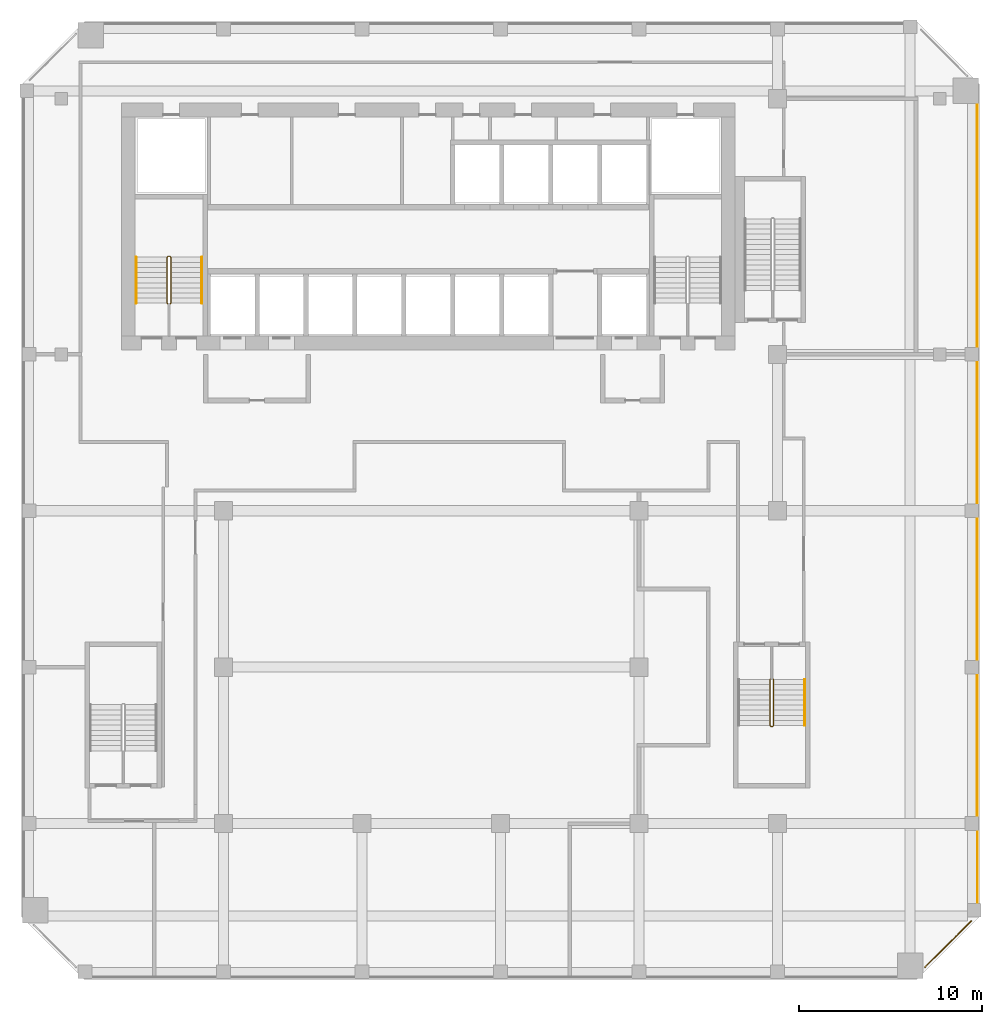
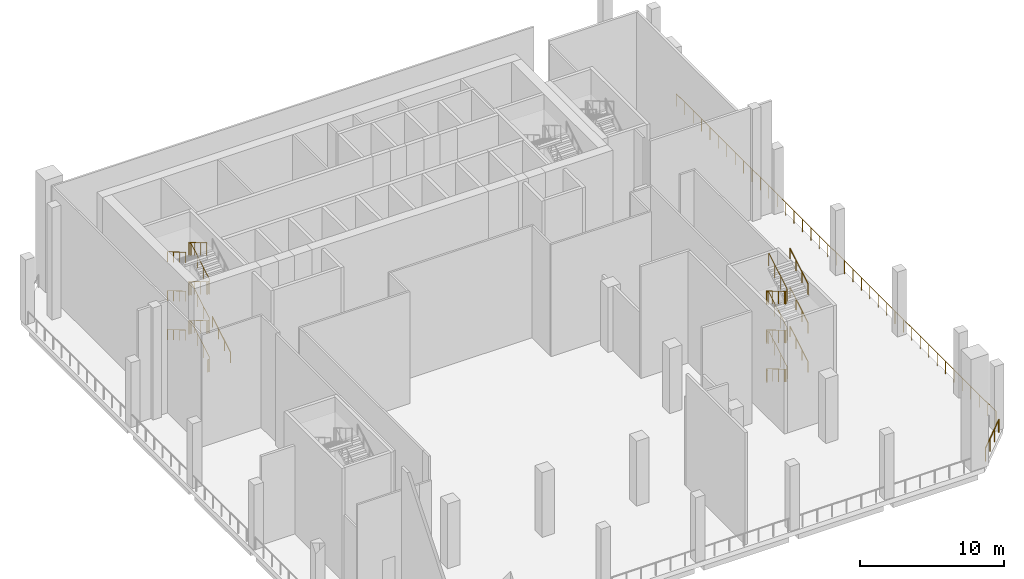
# One storey, part 10 of 12: 11 railings.
"""IFC4 building model written with IfcOpenShell, lengths in metres."""

from ifc_helpers import new_model, si_unit, direction, frame, origin, origin_2d, place, context, subcontext, project, spatial, circle, extrude, material, type_object, element, save


model = new_model("IFC4")

# Units and contexts
model_context = context("Model", 3, precision=1e-05, world=origin(), true_north=direction((0.0, 1.0)))
body_context = subcontext(model_context, "Body", "Model", "MODEL_VIEW")
ifc_project = project(units=[si_unit("LENGTHUNIT", "METRE"), si_unit("AREAUNIT", "SQUARE_METRE"), si_unit("VOLUMEUNIT", "CUBIC_METRE"), si_unit("PLANEANGLEUNIT", "RADIAN"), si_unit("MASSUNIT", "GRAM", prefix="KILO")], contexts=[model_context])

# Site, building, storey
site_placement = place(None, origin())
site = spatial("IfcSite", under=ifc_project, at=site_placement, CompositionType="ELEMENT")
building_placement = place(site_placement, origin())
building = spatial("IfcBuilding", under=site, at=building_placement, Name="Kilnfold Tower and Market Hall", CompositionType="ELEMENT")
storey_placement = place(building_placement, frame((0.0, 0.0, 223.699951171875)))
storey = spatial("IfcBuildingStorey", under=building, at=storey_placement, Name="L55 Refuge Wind Floor", CompositionType="ELEMENT", Elevation=223.699951171875)

# Railings
ifc_material_1 = material(Name="Stainless steel 316", Category="steel")
railing_type_1 = type_object("IfcRailingType", Name="CORE STAIR GUARD 1100", PredefinedType="GUARDRAIL", material=ifc_material_1)
railing_1_placement = place(storey_placement, frame((-13.199951171875, 10.75, 0.0)))
element("IfcRailing", 1, at=railing_1_placement, inside=storey, type_object=railing_type_1, Name="L55 Refuge Wind Floor ST1 stair guard 1", PredefinedType="GUARDRAIL", context=body_context, shape_type="SweptSolid", body=[
    extrude(circle(Radius=0.02392578125, at=origin_2d()), frame((0.0, 0.0, 1.076171875), z_axis=(1.0, 0.0, 0.0), x_axis=(0.0, 1.0, 0.0)), (0.0, 0.0, 1.0), 0.099853515625),
    extrude(circle(Radius=0.02392578125, at=origin_2d()), frame((0.099853515625, 0.0, 1.076171875), z_axis=(0.278705021027, 0.278705021027, 0.919046801044), x_axis=(-0.707106781187, 0.707106781187, 0.0)), (0.0, 0.0, 1.0), 0.1796875),
    extrude(circle(Radius=0.02392578125, at=origin_2d()), frame((0.14990234375, 0.050048828125, 1.2412109375), z_axis=(0.0, 0.86152411907, 0.507716645641), x_axis=(-1.0, 0.0, 0.0)), (0.0, 0.0, 1.0), 2.925048828125),
    extrude(circle(Radius=0.02392578125, at=origin_2d()), frame((0.14990234375, 2.570068359375, 2.72607421875), z_axis=(-0.707106781187, 0.707106781187, 0.0), x_axis=(-0.707106781187, -0.707106781187, 0.0)), (0.0, 0.0, 1.0), 0.07080078125),
    extrude(circle(Radius=0.02392578125, at=origin_2d()), frame((0.099853515625, 2.6201171875, 2.72607421875), z_axis=(-1.0, 0.0, 0.0), x_axis=(0.0, -1.0, 0.0)), (0.0, 0.0, 1.0), 0.099853515625),
    extrude(circle(Radius=0.02392578125, at=origin_2d()), frame((0.0, 2.6201171875, 2.72607421875), z_axis=(-0.279053652268, -0.279053652268, 0.918835196492), x_axis=(0.707106781187, -0.707106781187, 0.0)), (0.0, 0.0, 1.0), 0.179443359375),
    extrude(circle(Radius=0.02392578125, at=origin_2d()), frame((-0.050048828125, 2.570068359375, 2.89111328125), z_axis=(0.0, -0.86152411907, 0.507716645641), x_axis=(1.0, 0.0, 0.0)), (0.0, 0.0, 1.0), 2.925048828125),
    extrude(circle(Radius=0.02392578125, at=origin_2d()), frame((-0.050048828125, 0.050048828125, 4.3759765625), z_axis=(0.707106781187, -0.707106781187, 0.0), x_axis=(0.707106781187, 0.707106781187, 0.0)), (0.0, 0.0, 1.0), 0.07080078125),
    extrude(circle(Radius=0.02392578125, at=origin_2d()), frame((0.0, 0.0, 4.3759765625), z_axis=(1.0, 0.0, 0.0), x_axis=(0.0, 1.0, 0.0)), (0.0, 0.0, 1.0), 0.099853515625),
    extrude(circle(Radius=0.02392578125, at=origin_2d()), frame((0.099853515625, 0.0, 4.3759765625), z_axis=(0.278705021027, 0.278705021027, 0.919046801044), x_axis=(-0.707106781187, 0.707106781187, 0.0)), (0.0, 0.0, 1.0), 0.1796875),
    extrude(circle(Radius=0.02392578125, at=origin_2d()), frame((0.14990234375, 0.050048828125, 4.541015625), z_axis=(0.0, 0.861560626758, 0.507654692109), x_axis=(-1.0, 0.0, 0.0)), (0.0, 0.0, 1.0), 2.925048828125),
    extrude(circle(Radius=0.02392578125, at=origin_2d()), frame((0.14990234375, 2.570068359375, 6.02587890625), z_axis=(-0.707106781187, 0.707106781187, 0.0), x_axis=(-0.707106781187, -0.707106781187, 0.0)), (0.0, 0.0, 1.0), 0.07080078125),
    extrude(circle(Radius=0.02392578125, at=origin_2d()), frame((0.099853515625, 2.6201171875, 6.02587890625), z_axis=(-1.0, 0.0, 0.0), x_axis=(0.0, -1.0, 0.0)), (0.0, 0.0, 1.0), 0.099853515625),
    extrude(circle(Radius=0.02392578125, at=origin_2d()), frame((0.0, 2.6201171875, 6.02587890625), z_axis=(-0.278705021027, -0.278705021027, 0.919046801044), x_axis=(0.707106781187, -0.707106781187, 0.0)), (0.0, 0.0, 1.0), 0.1796875),
    extrude(circle(Radius=0.02392578125, at=origin_2d()), frame((-0.050048828125, 2.570068359375, 6.19091796875), z_axis=(0.0, -0.86152411907, 0.507716645641), x_axis=(1.0, 0.0, 0.0)), (0.0, 0.0, 1.0), 2.925048828125),
    extrude(circle(Radius=0.02392578125, at=origin_2d()), frame((-0.050048828125, 0.050048828125, 7.67626953125), z_axis=(0.707106781187, -0.707106781187, 0.0), x_axis=(0.707106781187, 0.707106781187, 0.0)), (0.0, 0.0, 1.0), 0.07080078125),
    extrude(circle(Radius=0.02392578125, at=origin_2d()), frame((0.0, 0.0, 7.67626953125), z_axis=(1.0, 0.0, 0.0), x_axis=(0.0, 1.0, 0.0)), (0.0, 0.0, 1.0), 0.099853515625),
    extrude(circle(Radius=0.02392578125, at=origin_2d()), frame((0.099853515625, 0.0, 7.67626953125), z_axis=(0.278705021027, 0.278705021027, 0.919046801044), x_axis=(-0.707106781187, 0.707106781187, 0.0)), (0.0, 0.0, 1.0), 0.1796875),
    extrude(circle(Radius=0.02392578125, at=origin_2d()), frame((0.14990234375, 0.050048828125, 7.84130859375), z_axis=(0.0, 0.861560626758, 0.507654692109), x_axis=(-1.0, 0.0, 0.0)), (0.0, 0.0, 1.0), 2.925048828125),
    extrude(circle(Radius=0.02392578125, at=origin_2d()), frame((0.14990234375, 2.570068359375, 9.326171875), z_axis=(-0.707106781187, 0.707106781187, 0.0), x_axis=(-0.707106781187, -0.707106781187, 0.0)), (0.0, 0.0, 1.0), 0.07080078125),
    extrude(circle(Radius=0.02392578125, at=origin_2d()), frame((0.099853515625, 2.6201171875, 9.326171875), z_axis=(-1.0, 0.0, 0.0), x_axis=(0.0, -1.0, 0.0)), (0.0, 0.0, 1.0), 0.099853515625),
    extrude(circle(Radius=0.02392578125, at=origin_2d()), frame((0.0, 2.6201171875, 9.326171875), z_axis=(-0.278705021027, -0.278705021027, 0.919046801044), x_axis=(0.707106781187, -0.707106781187, 0.0)), (0.0, 0.0, 1.0), 0.1796875),
    extrude(circle(Radius=0.02392578125, at=origin_2d()), frame((-0.050048828125, 2.570068359375, 9.4912109375), z_axis=(0.0, -0.86152411907, 0.507716645641), x_axis=(1.0, 0.0, 0.0)), (0.0, 0.0, 1.0), 2.925048828125),
    extrude(circle(Radius=0.02099609375, at=origin_2d()), origin(), (0.0, 0.0, 1.0), 1.052001953125),
    extrude(circle(Radius=0.02099609375, at=origin_2d()), frame((0.099853515625, 0.0, 0.0)), (0.0, 0.0, 1.0), 1.052001953125),
    extrude(circle(Radius=0.02099609375, at=origin_2d()), frame((0.14990234375, 0.050048828125, 0.1650390625)), (0.0, 0.0, 1.0), 1.052001953125),
    extrude(circle(Radius=0.02099609375, at=origin_2d()), frame((0.14990234375, 0.89013671875, 0.66015625)), (0.0, 0.0, 1.0), 1.052001953125),
    extrude(circle(Radius=0.02099609375, at=origin_2d()), frame((0.14990234375, 1.72998046875, 1.155029296875)), (0.0, 0.0, 1.0), 1.052001953125),
    extrude(circle(Radius=0.02099609375, at=origin_2d()), frame((0.14990234375, 2.570068359375, 1.650146484375)), (0.0, 0.0, 1.0), 1.052001953125),
    extrude(circle(Radius=0.02099609375, at=origin_2d()), frame((0.099853515625, 2.6201171875, 1.650146484375)), (0.0, 0.0, 1.0), 1.052001953125),
    extrude(circle(Radius=0.02099609375, at=origin_2d()), frame((0.0, 2.6201171875, 1.650146484375)), (0.0, 0.0, 1.0), 1.052001953125),
    extrude(circle(Radius=0.02099609375, at=origin_2d()), frame((-0.050048828125, 2.570068359375, 1.81494140625)), (0.0, 0.0, 1.0), 1.052001953125),
    extrude(circle(Radius=0.02099609375, at=origin_2d()), frame((-0.050048828125, 1.72998046875, 2.31005859375)), (0.0, 0.0, 1.0), 1.052001953125),
    extrude(circle(Radius=0.02099609375, at=origin_2d()), frame((-0.050048828125, 0.89013671875, 2.804931640625)), (0.0, 0.0, 1.0), 1.052001953125),
    extrude(circle(Radius=0.02099609375, at=origin_2d()), frame((-0.050048828125, 0.050048828125, 3.300048828125)), (0.0, 0.0, 1.0), 1.052001953125),
    extrude(circle(Radius=0.02099609375, at=origin_2d()), frame((0.0, 0.0, 3.300048828125)), (0.0, 0.0, 1.0), 1.052001953125),
    extrude(circle(Radius=0.02099609375, at=origin_2d()), frame((0.099853515625, 0.0, 3.300048828125)), (0.0, 0.0, 1.0), 1.052001953125),
    extrude(circle(Radius=0.02099609375, at=origin_2d()), frame((0.14990234375, 0.050048828125, 3.465087890625)), (0.0, 0.0, 1.0), 1.052001953125),
    extrude(circle(Radius=0.02099609375, at=origin_2d()), frame((0.14990234375, 0.89013671875, 3.9599609375)), (0.0, 0.0, 1.0), 1.052001953125),
    extrude(circle(Radius=0.02099609375, at=origin_2d()), frame((0.14990234375, 1.72998046875, 4.455078125)), (0.0, 0.0, 1.0), 1.052001953125),
    extrude(circle(Radius=0.02099609375, at=origin_2d()), frame((0.14990234375, 2.570068359375, 4.949951171875)), (0.0, 0.0, 1.0), 1.052001953125),
    extrude(circle(Radius=0.02099609375, at=origin_2d()), frame((0.099853515625, 2.6201171875, 4.949951171875)), (0.0, 0.0, 1.0), 1.052001953125),
    extrude(circle(Radius=0.02099609375, at=origin_2d()), frame((0.0, 2.6201171875, 4.949951171875)), (0.0, 0.0, 1.0), 1.052001953125),
    extrude(circle(Radius=0.02099609375, at=origin_2d()), frame((-0.050048828125, 2.570068359375, 5.114990234375)), (0.0, 0.0, 1.0), 1.052001953125),
    extrude(circle(Radius=0.02099609375, at=origin_2d()), frame((-0.050048828125, 1.72998046875, 5.610107421875)), (0.0, 0.0, 1.0), 1.052001953125),
    extrude(circle(Radius=0.02099609375, at=origin_2d()), frame((-0.050048828125, 0.89013671875, 6.10498046875)), (0.0, 0.0, 1.0), 1.052001953125),
    extrude(circle(Radius=0.02099609375, at=origin_2d()), frame((-0.050048828125, 0.050048828125, 6.60009765625)), (0.0, 0.0, 1.0), 1.052001953125),
    extrude(circle(Radius=0.02099609375, at=origin_2d()), frame((0.0, 0.0, 6.60009765625)), (0.0, 0.0, 1.0), 1.052001953125),
    extrude(circle(Radius=0.02099609375, at=origin_2d()), frame((0.099853515625, 0.0, 6.60009765625)), (0.0, 0.0, 1.0), 1.052001953125),
    extrude(circle(Radius=0.02099609375, at=origin_2d()), frame((0.14990234375, 0.050048828125, 6.76513671875)), (0.0, 0.0, 1.0), 1.052001953125),
    extrude(circle(Radius=0.02099609375, at=origin_2d()), frame((0.14990234375, 0.89013671875, 7.260009765625)), (0.0, 0.0, 1.0), 1.052001953125),
    extrude(circle(Radius=0.02099609375, at=origin_2d()), frame((0.14990234375, 1.72998046875, 7.755126953125)), (0.0, 0.0, 1.0), 1.052001953125),
    extrude(circle(Radius=0.02099609375, at=origin_2d()), frame((0.14990234375, 2.570068359375, 8.25)), (0.0, 0.0, 1.0), 1.052001953125),
    extrude(circle(Radius=0.02099609375, at=origin_2d()), frame((0.099853515625, 2.6201171875, 8.25)), (0.0, 0.0, 1.0), 1.052001953125),
    extrude(circle(Radius=0.02099609375, at=origin_2d()), frame((0.0, 2.6201171875, 8.25)), (0.0, 0.0, 1.0), 1.052001953125),
    extrude(circle(Radius=0.02099609375, at=origin_2d()), frame((-0.050048828125, 2.570068359375, 8.4150390625)), (0.0, 0.0, 1.0), 1.052001953125),
    extrude(circle(Radius=0.02099609375, at=origin_2d()), frame((-0.050048828125, 1.72998046875, 8.91015625)), (0.0, 0.0, 1.0), 1.052001953125),
    extrude(circle(Radius=0.02099609375, at=origin_2d()), frame((-0.050048828125, 0.89013671875, 9.405029296875)), (0.0, 0.0, 1.0), 1.052001953125),
    extrude(circle(Radius=0.02099609375, at=origin_2d()), frame((-0.050048828125, 0.050048828125, 9.900146484375)), (0.0, 0.0, 1.0), 1.052001953125),
])
railing_2_placement = place(storey_placement, frame((19.89990234375, -9.75, 0.0)))
element("IfcRailing", 2, at=railing_2_placement, inside=storey, type_object=railing_type_1, Name="L55 Refuge Wind Floor ST4 stair guard 1", PredefinedType="GUARDRAIL", context=body_context, shape_type="SweptSolid", body=[
    extrude(circle(Radius=0.02392578125, at=origin_2d()), frame((0.0, 0.0, 1.076171875), z_axis=(-1.0, 0.0, 0.0), x_axis=(0.0, -1.0, 0.0)), (0.0, 0.0, 1.0), 0.099853515625),
    extrude(circle(Radius=0.02392578125, at=origin_2d()), frame((-0.099853515625, 0.0, 1.076171875), z_axis=(-0.278705021027, -0.278705021027, 0.919046801044), x_axis=(0.707106781187, -0.707106781187, 0.0)), (0.0, 0.0, 1.0), 0.1796875),
    extrude(circle(Radius=0.02392578125, at=origin_2d()), frame((-0.14990234375, -0.050048828125, 1.2412109375), z_axis=(0.0, -0.86152411907, 0.507716645641), x_axis=(1.0, 0.0, 0.0)), (0.0, 0.0, 1.0), 2.925048828125),
    extrude(circle(Radius=0.02392578125, at=origin_2d()), frame((-0.14990234375, -2.570068359375, 2.72607421875), z_axis=(0.707106781187, -0.707106781187, 0.0), x_axis=(0.707106781187, 0.707106781187, 0.0)), (0.0, 0.0, 1.0), 0.07080078125),
    extrude(circle(Radius=0.02392578125, at=origin_2d()), frame((-0.099853515625, -2.6201171875, 2.72607421875), z_axis=(1.0, 0.0, 0.0), x_axis=(0.0, 1.0, 0.0)), (0.0, 0.0, 1.0), 0.099853515625),
    extrude(circle(Radius=0.02392578125, at=origin_2d()), frame((0.0, -2.6201171875, 2.72607421875), z_axis=(0.279053652268, 0.279053652268, 0.918835196492), x_axis=(-0.707106781187, 0.707106781187, 0.0)), (0.0, 0.0, 1.0), 0.179443359375),
    extrude(circle(Radius=0.02392578125, at=origin_2d()), frame((0.050048828125, -2.570068359375, 2.89111328125), z_axis=(0.0, 0.86152411907, 0.507716645641), x_axis=(-1.0, 0.0, 0.0)), (0.0, 0.0, 1.0), 2.925048828125),
    extrude(circle(Radius=0.02392578125, at=origin_2d()), frame((0.050048828125, -0.050048828125, 4.3759765625), z_axis=(-0.707106781187, 0.707106781187, 0.0), x_axis=(-0.707106781187, -0.707106781187, 0.0)), (0.0, 0.0, 1.0), 0.07080078125),
    extrude(circle(Radius=0.02392578125, at=origin_2d()), frame((0.0, 0.0, 4.3759765625), z_axis=(-1.0, 0.0, 0.0), x_axis=(0.0, -1.0, 0.0)), (0.0, 0.0, 1.0), 0.099853515625),
    extrude(circle(Radius=0.02392578125, at=origin_2d()), frame((-0.099853515625, 0.0, 4.3759765625), z_axis=(-0.278705021027, -0.278705021027, 0.919046801044), x_axis=(0.707106781187, -0.707106781187, 0.0)), (0.0, 0.0, 1.0), 0.1796875),
    extrude(circle(Radius=0.02392578125, at=origin_2d()), frame((-0.14990234375, -0.050048828125, 4.541015625), z_axis=(0.0, -0.861560626758, 0.507654692109), x_axis=(1.0, 0.0, 0.0)), (0.0, 0.0, 1.0), 2.925048828125),
    extrude(circle(Radius=0.02392578125, at=origin_2d()), frame((-0.14990234375, -2.570068359375, 6.02587890625), z_axis=(0.707106781187, -0.707106781187, 0.0), x_axis=(0.707106781187, 0.707106781187, 0.0)), (0.0, 0.0, 1.0), 0.07080078125),
    extrude(circle(Radius=0.02392578125, at=origin_2d()), frame((-0.099853515625, -2.6201171875, 6.02587890625), z_axis=(1.0, 0.0, 0.0), x_axis=(0.0, 1.0, 0.0)), (0.0, 0.0, 1.0), 0.099853515625),
    extrude(circle(Radius=0.02392578125, at=origin_2d()), frame((0.0, -2.6201171875, 6.02587890625), z_axis=(0.278705021027, 0.278705021027, 0.919046801044), x_axis=(-0.707106781187, 0.707106781187, 0.0)), (0.0, 0.0, 1.0), 0.1796875),
    extrude(circle(Radius=0.02392578125, at=origin_2d()), frame((0.050048828125, -2.570068359375, 6.19091796875), z_axis=(0.0, 0.86152411907, 0.507716645641), x_axis=(-1.0, 0.0, 0.0)), (0.0, 0.0, 1.0), 2.925048828125),
    extrude(circle(Radius=0.02392578125, at=origin_2d()), frame((0.050048828125, -0.050048828125, 7.67626953125), z_axis=(-0.707106781187, 0.707106781187, 0.0), x_axis=(-0.707106781187, -0.707106781187, 0.0)), (0.0, 0.0, 1.0), 0.07080078125),
    extrude(circle(Radius=0.02392578125, at=origin_2d()), frame((0.0, 0.0, 7.67626953125), z_axis=(-1.0, 0.0, 0.0), x_axis=(0.0, -1.0, 0.0)), (0.0, 0.0, 1.0), 0.099853515625),
    extrude(circle(Radius=0.02392578125, at=origin_2d()), frame((-0.099853515625, 0.0, 7.67626953125), z_axis=(-0.278705021027, -0.278705021027, 0.919046801044), x_axis=(0.707106781187, -0.707106781187, 0.0)), (0.0, 0.0, 1.0), 0.1796875),
    extrude(circle(Radius=0.02392578125, at=origin_2d()), frame((-0.14990234375, -0.050048828125, 7.84130859375), z_axis=(0.0, -0.861560626758, 0.507654692109), x_axis=(1.0, 0.0, 0.0)), (0.0, 0.0, 1.0), 2.925048828125),
    extrude(circle(Radius=0.02392578125, at=origin_2d()), frame((-0.14990234375, -2.570068359375, 9.326171875), z_axis=(0.707106781187, -0.707106781187, 0.0), x_axis=(0.707106781187, 0.707106781187, 0.0)), (0.0, 0.0, 1.0), 0.07080078125),
    extrude(circle(Radius=0.02392578125, at=origin_2d()), frame((-0.099853515625, -2.6201171875, 9.326171875), z_axis=(1.0, 0.0, 0.0), x_axis=(0.0, 1.0, 0.0)), (0.0, 0.0, 1.0), 0.099853515625),
    extrude(circle(Radius=0.02392578125, at=origin_2d()), frame((0.0, -2.6201171875, 9.326171875), z_axis=(0.278705021027, 0.278705021027, 0.919046801044), x_axis=(-0.707106781187, 0.707106781187, 0.0)), (0.0, 0.0, 1.0), 0.1796875),
    extrude(circle(Radius=0.02392578125, at=origin_2d()), frame((0.050048828125, -2.570068359375, 9.4912109375), z_axis=(0.0, 0.86152411907, 0.507716645641), x_axis=(-1.0, 0.0, 0.0)), (0.0, 0.0, 1.0), 2.925048828125),
    extrude(circle(Radius=0.02099609375, at=origin_2d()), origin(), (0.0, 0.0, 1.0), 1.052001953125),
    extrude(circle(Radius=0.02099609375, at=origin_2d()), frame((-0.099853515625, 0.0, 0.0)), (0.0, 0.0, 1.0), 1.052001953125),
    extrude(circle(Radius=0.02099609375, at=origin_2d()), frame((-0.14990234375, -0.050048828125, 0.1650390625)), (0.0, 0.0, 1.0), 1.052001953125),
    extrude(circle(Radius=0.02099609375, at=origin_2d()), frame((-0.14990234375, -0.89013671875, 0.66015625)), (0.0, 0.0, 1.0), 1.052001953125),
    extrude(circle(Radius=0.02099609375, at=origin_2d()), frame((-0.14990234375, -1.72998046875, 1.155029296875)), (0.0, 0.0, 1.0), 1.052001953125),
    extrude(circle(Radius=0.02099609375, at=origin_2d()), frame((-0.14990234375, -2.570068359375, 1.650146484375)), (0.0, 0.0, 1.0), 1.052001953125),
    extrude(circle(Radius=0.02099609375, at=origin_2d()), frame((-0.099853515625, -2.6201171875, 1.650146484375)), (0.0, 0.0, 1.0), 1.052001953125),
    extrude(circle(Radius=0.02099609375, at=origin_2d()), frame((0.0, -2.6201171875, 1.650146484375)), (0.0, 0.0, 1.0), 1.052001953125),
    extrude(circle(Radius=0.02099609375, at=origin_2d()), frame((0.050048828125, -2.570068359375, 1.81494140625)), (0.0, 0.0, 1.0), 1.052001953125),
    extrude(circle(Radius=0.02099609375, at=origin_2d()), frame((0.050048828125, -1.72998046875, 2.31005859375)), (0.0, 0.0, 1.0), 1.052001953125),
    extrude(circle(Radius=0.02099609375, at=origin_2d()), frame((0.050048828125, -0.89013671875, 2.804931640625)), (0.0, 0.0, 1.0), 1.052001953125),
    extrude(circle(Radius=0.02099609375, at=origin_2d()), frame((0.050048828125, -0.050048828125, 3.300048828125)), (0.0, 0.0, 1.0), 1.052001953125),
    extrude(circle(Radius=0.02099609375, at=origin_2d()), frame((0.0, 0.0, 3.300048828125)), (0.0, 0.0, 1.0), 1.052001953125),
    extrude(circle(Radius=0.02099609375, at=origin_2d()), frame((-0.099853515625, 0.0, 3.300048828125)), (0.0, 0.0, 1.0), 1.052001953125),
    extrude(circle(Radius=0.02099609375, at=origin_2d()), frame((-0.14990234375, -0.050048828125, 3.465087890625)), (0.0, 0.0, 1.0), 1.052001953125),
    extrude(circle(Radius=0.02099609375, at=origin_2d()), frame((-0.14990234375, -0.89013671875, 3.9599609375)), (0.0, 0.0, 1.0), 1.052001953125),
    extrude(circle(Radius=0.02099609375, at=origin_2d()), frame((-0.14990234375, -1.72998046875, 4.455078125)), (0.0, 0.0, 1.0), 1.052001953125),
    extrude(circle(Radius=0.02099609375, at=origin_2d()), frame((-0.14990234375, -2.570068359375, 4.949951171875)), (0.0, 0.0, 1.0), 1.052001953125),
    extrude(circle(Radius=0.02099609375, at=origin_2d()), frame((-0.099853515625, -2.6201171875, 4.949951171875)), (0.0, 0.0, 1.0), 1.052001953125),
    extrude(circle(Radius=0.02099609375, at=origin_2d()), frame((0.0, -2.6201171875, 4.949951171875)), (0.0, 0.0, 1.0), 1.052001953125),
    extrude(circle(Radius=0.02099609375, at=origin_2d()), frame((0.050048828125, -2.570068359375, 5.114990234375)), (0.0, 0.0, 1.0), 1.052001953125),
    extrude(circle(Radius=0.02099609375, at=origin_2d()), frame((0.050048828125, -1.72998046875, 5.610107421875)), (0.0, 0.0, 1.0), 1.052001953125),
    extrude(circle(Radius=0.02099609375, at=origin_2d()), frame((0.050048828125, -0.89013671875, 6.10498046875)), (0.0, 0.0, 1.0), 1.052001953125),
    extrude(circle(Radius=0.02099609375, at=origin_2d()), frame((0.050048828125, -0.050048828125, 6.60009765625)), (0.0, 0.0, 1.0), 1.052001953125),
    extrude(circle(Radius=0.02099609375, at=origin_2d()), frame((0.0, 0.0, 6.60009765625)), (0.0, 0.0, 1.0), 1.052001953125),
    extrude(circle(Radius=0.02099609375, at=origin_2d()), frame((-0.099853515625, 0.0, 6.60009765625)), (0.0, 0.0, 1.0), 1.052001953125),
    extrude(circle(Radius=0.02099609375, at=origin_2d()), frame((-0.14990234375, -0.050048828125, 6.76513671875)), (0.0, 0.0, 1.0), 1.052001953125),
    extrude(circle(Radius=0.02099609375, at=origin_2d()), frame((-0.14990234375, -0.89013671875, 7.260009765625)), (0.0, 0.0, 1.0), 1.052001953125),
    extrude(circle(Radius=0.02099609375, at=origin_2d()), frame((-0.14990234375, -1.72998046875, 7.755126953125)), (0.0, 0.0, 1.0), 1.052001953125),
    extrude(circle(Radius=0.02099609375, at=origin_2d()), frame((-0.14990234375, -2.570068359375, 8.25)), (0.0, 0.0, 1.0), 1.052001953125),
    extrude(circle(Radius=0.02099609375, at=origin_2d()), frame((-0.099853515625, -2.6201171875, 8.25)), (0.0, 0.0, 1.0), 1.052001953125),
    extrude(circle(Radius=0.02099609375, at=origin_2d()), frame((0.0, -2.6201171875, 8.25)), (0.0, 0.0, 1.0), 1.052001953125),
    extrude(circle(Radius=0.02099609375, at=origin_2d()), frame((0.050048828125, -2.570068359375, 8.4150390625)), (0.0, 0.0, 1.0), 1.052001953125),
    extrude(circle(Radius=0.02099609375, at=origin_2d()), frame((0.050048828125, -1.72998046875, 8.91015625)), (0.0, 0.0, 1.0), 1.052001953125),
    extrude(circle(Radius=0.02099609375, at=origin_2d()), frame((0.050048828125, -0.89013671875, 9.405029296875)), (0.0, 0.0, 1.0), 1.052001953125),
    extrude(circle(Radius=0.02099609375, at=origin_2d()), frame((0.050048828125, -0.050048828125, 9.900146484375)), (0.0, 0.0, 1.0), 1.052001953125),
])
ifc_material_2 = material(Name="Stainless steel 316", Category="steel")
railing_type_2 = type_object("IfcRailingType", Name="CORE STAIR HANDRAIL 900", PredefinedType="HANDRAIL", material=ifc_material_2)
railing_3_placement = place(storey_placement, frame((-11.35009765625, 10.800048828125, 0.1650390625)))
element("IfcRailing", 3, at=railing_3_placement, inside=storey, type_object=railing_type_2, Name="L55 Refuge Wind Floor ST1 stair handrail 1", PredefinedType="HANDRAIL", context=body_context, shape_type="SweptSolid", body=[
    extrude(circle(Radius=0.02392578125, at=origin_2d()), frame((0.0, 0.0, 0.8759765625), z_axis=(0.0, 0.86152411907, 0.507716645641), x_axis=(-1.0, 0.0, 0.0)), (0.0, 0.0, 1.0), 2.925048828125),
    extrude(circle(Radius=0.02099609375, at=origin_2d()), origin(), (0.0, 0.0, 1.0), 0.851806640625),
    extrude(circle(Radius=0.02099609375, at=origin_2d()), frame((0.0, 0.840087890625, 0.4951171875)), (0.0, 0.0, 1.0), 0.851806640625),
    extrude(circle(Radius=0.02099609375, at=origin_2d()), frame((0.0, 1.679931640625, 0.989990234375)), (0.0, 0.0, 1.0), 0.851806640625),
    extrude(circle(Radius=0.02099609375, at=origin_2d()), frame((0.0, 2.52001953125, 1.485107421875)), (0.0, 0.0, 1.0), 0.851806640625),
])
for number, where, name in (
    (4, (-14.949951171875, 13.320068359375, 1.81494140625), "L55 Refuge Wind Floor ST1 stair handrail 2"),
    (5, (-14.949951171875, 13.320068359375, 5.114990234375), "L55 Refuge Wind Floor ST1 stair handrail 4"),
    (6, (-14.949951171875, 13.320068359375, 8.4150390625), "L55 Refuge Wind Floor ST1 stair handrail 6"),
):
    element("IfcRailing", number, at=place(storey_placement, frame(where)), inside=storey, type_object=railing_type_2, Name=name, PredefinedType="HANDRAIL", context=body_context, shape_type="SweptSolid", body=[
        extrude(circle(Radius=0.02392578125, at=origin_2d()), frame((0.0, 0.0, 0.8759765625), z_axis=(0.0, -0.86152411907, 0.507716645641), x_axis=(1.0, 0.0, 0.0)), (0.0, 0.0, 1.0), 2.925048828125),
        extrude(circle(Radius=0.02099609375, at=origin_2d()), origin(), (0.0, 0.0, 1.0), 0.851806640625),
        extrude(circle(Radius=0.02099609375, at=origin_2d()), frame((0.0, -0.840087890625, 0.4951171875)), (0.0, 0.0, 1.0), 0.851806640625),
        extrude(circle(Radius=0.02099609375, at=origin_2d()), frame((0.0, -1.679931640625, 0.989990234375)), (0.0, 0.0, 1.0), 0.851806640625),
        extrude(circle(Radius=0.02099609375, at=origin_2d()), frame((0.0, -2.52001953125, 1.485107421875)), (0.0, 0.0, 1.0), 0.851806640625),
    ])
for number, where, name in (
    (7, (21.64990234375, -12.320068359375, 1.81494140625), "L55 Refuge Wind Floor ST4 stair handrail 2"),
    (8, (21.64990234375, -12.320068359375, 5.114990234375), "L55 Refuge Wind Floor ST4 stair handrail 4"),
    (9, (21.64990234375, -12.320068359375, 8.4150390625), "L55 Refuge Wind Floor ST4 stair handrail 6"),
):
    element("IfcRailing", number, at=place(storey_placement, frame(where)), inside=storey, type_object=railing_type_2, Name=name, PredefinedType="HANDRAIL", context=body_context, shape_type="SweptSolid", body=[
        extrude(circle(Radius=0.02392578125, at=origin_2d()), frame((0.0, 0.0, 0.8759765625), z_axis=(0.0, 0.86152411907, 0.507716645641), x_axis=(-1.0, 0.0, 0.0)), (0.0, 0.0, 1.0), 2.925048828125),
        extrude(circle(Radius=0.02099609375, at=origin_2d()), origin(), (0.0, 0.0, 1.0), 0.851806640625),
        extrude(circle(Radius=0.02099609375, at=origin_2d()), frame((0.0, 0.840087890625, 0.4951171875)), (0.0, 0.0, 1.0), 0.851806640625),
        extrude(circle(Radius=0.02099609375, at=origin_2d()), frame((0.0, 1.679931640625, 0.989990234375)), (0.0, 0.0, 1.0), 0.851806640625),
        extrude(circle(Radius=0.02099609375, at=origin_2d()), frame((0.0, 2.52001953125, 1.485107421875)), (0.0, 0.0, 1.0), 0.851806640625),
    ])
ifc_material_3 = material(Name="Stainless steel and laminated glass", Category="steel")
railing_type_3 = type_object("IfcRailingType", Name="GUARD 1100", PredefinedType="GUARDRAIL", material=ifc_material_3)
railing_4_placement = place(storey_placement, frame((28.243896484375, -25.5439453125, 0.0)))
element("IfcRailing", 10, at=railing_4_placement, inside=storey, type_object=railing_type_3, Name="Guard edge SE L55", PredefinedType="GUARDRAIL", context=body_context, shape_type="SweptSolid", body=[
    extrude(circle(Radius=0.02490234375, at=origin_2d()), frame((0.0, 0.0, 1.0751953125), z_axis=(0.707072595841, 0.707140964879, 0.0), x_axis=(-0.707140964879, 0.707072595841, 0.0)), (0.0, 0.0, 1.0), 3.571044921875),
    extrude(circle(Radius=0.02490234375, at=origin_2d()), origin(), (0.0, 0.0, 1.0), 1.050048828125),
    extrude(circle(Radius=0.02490234375, at=origin_2d()), frame((0.841552734375, 0.841796875, 0.0)), (0.0, 0.0, 1.0), 1.050048828125),
    extrude(circle(Radius=0.02490234375, at=origin_2d()), frame((1.683349609375, 1.683349609375, 0.0)), (0.0, 0.0, 1.0), 1.050048828125),
    extrude(circle(Radius=0.02490234375, at=origin_2d()), frame((2.52490234375, 2.525146484375, 0.0)), (0.0, 0.0, 1.0), 1.050048828125),
])
railing_5_placement = place(storey_placement, frame((31.10009765625, -22.056884765625, 0.0)))
element("IfcRailing", 11, at=railing_5_placement, inside=storey, type_object=railing_type_3, Name="Guard edge E L55", PredefinedType="GUARDRAIL", context=body_context, shape_type="SweptSolid", body=[
    extrude(circle(Radius=0.02490234375, at=origin_2d()), frame((0.0, 0.0, 1.0751953125), z_axis=(0.0, 1.0, 0.0), x_axis=(-1.0, 0.0, 0.0)), (0.0, 0.0, 1.0), 44.431884765625),
    extrude(circle(Radius=0.02490234375, at=origin_2d()), origin(), (0.0, 0.0, 1.0), 1.050048828125),
    extrude(circle(Radius=0.02490234375, at=origin_2d()), frame((0.0, 1.169189453125, 0.0)), (0.0, 0.0, 1.0), 1.050048828125),
    extrude(circle(Radius=0.02490234375, at=origin_2d()), frame((0.0, 2.338623046875, 0.0)), (0.0, 0.0, 1.0), 1.050048828125),
    extrude(circle(Radius=0.02490234375, at=origin_2d()), frame((0.0, 3.5078125, 0.0)), (0.0, 0.0, 1.0), 1.050048828125),
    extrude(circle(Radius=0.02490234375, at=origin_2d()), frame((0.0, 4.677001953125, 0.0)), (0.0, 0.0, 1.0), 1.050048828125),
    extrude(circle(Radius=0.02490234375, at=origin_2d()), frame((0.0, 5.84619140625, 0.0)), (0.0, 0.0, 1.0), 1.050048828125),
    extrude(circle(Radius=0.02490234375, at=origin_2d()), frame((0.0, 7.015625, 0.0)), (0.0, 0.0, 1.0), 1.050048828125),
    extrude(circle(Radius=0.02490234375, at=origin_2d()), frame((0.0, 8.184814453125, 0.0)), (0.0, 0.0, 1.0), 1.050048828125),
    extrude(circle(Radius=0.02490234375, at=origin_2d()), frame((0.0, 9.35400390625, 0.0)), (0.0, 0.0, 1.0), 1.050048828125),
    extrude(circle(Radius=0.02490234375, at=origin_2d()), frame((0.0, 10.5234375, 0.0)), (0.0, 0.0, 1.0), 1.050048828125),
    extrude(circle(Radius=0.02490234375, at=origin_2d()), frame((0.0, 11.692626953125, 0.0)), (0.0, 0.0, 1.0), 1.050048828125),
    extrude(circle(Radius=0.02490234375, at=origin_2d()), frame((0.0, 12.86181640625, 0.0)), (0.0, 0.0, 1.0), 1.050048828125),
    extrude(circle(Radius=0.02490234375, at=origin_2d()), frame((0.0, 14.031005859375, 0.0)), (0.0, 0.0, 1.0), 1.050048828125),
    extrude(circle(Radius=0.02490234375, at=origin_2d()), frame((0.0, 15.200439453125, 0.0)), (0.0, 0.0, 1.0), 1.050048828125),
    extrude(circle(Radius=0.02490234375, at=origin_2d()), frame((0.0, 16.36962890625, 0.0)), (0.0, 0.0, 1.0), 1.050048828125),
    extrude(circle(Radius=0.02490234375, at=origin_2d()), frame((0.0, 17.538818359375, 0.0)), (0.0, 0.0, 1.0), 1.050048828125),
    extrude(circle(Radius=0.02490234375, at=origin_2d()), frame((0.0, 18.708251953125, 0.0)), (0.0, 0.0, 1.0), 1.050048828125),
    extrude(circle(Radius=0.02490234375, at=origin_2d()), frame((0.0, 19.87744140625, 0.0)), (0.0, 0.0, 1.0), 1.050048828125),
    extrude(circle(Radius=0.02490234375, at=origin_2d()), frame((0.0, 21.046630859375, 0.0)), (0.0, 0.0, 1.0), 1.050048828125),
    extrude(circle(Radius=0.02490234375, at=origin_2d()), frame((0.0, 22.2158203125, 0.0)), (0.0, 0.0, 1.0), 1.050048828125),
    extrude(circle(Radius=0.02490234375, at=origin_2d()), frame((0.0, 23.38525390625, 0.0)), (0.0, 0.0, 1.0), 1.050048828125),
    extrude(circle(Radius=0.02490234375, at=origin_2d()), frame((0.0, 24.554443359375, 0.0)), (0.0, 0.0, 1.0), 1.050048828125),
    extrude(circle(Radius=0.02490234375, at=origin_2d()), frame((0.0, 25.7236328125, 0.0)), (0.0, 0.0, 1.0), 1.050048828125),
    extrude(circle(Radius=0.02490234375, at=origin_2d()), frame((0.0, 26.89306640625, 0.0)), (0.0, 0.0, 1.0), 1.050048828125),
    extrude(circle(Radius=0.02490234375, at=origin_2d()), frame((0.0, 28.062255859375, 0.0)), (0.0, 0.0, 1.0), 1.050048828125),
    extrude(circle(Radius=0.02490234375, at=origin_2d()), frame((0.0, 29.2314453125, 0.0)), (0.0, 0.0, 1.0), 1.050048828125),
    extrude(circle(Radius=0.02490234375, at=origin_2d()), frame((0.0, 30.40087890625, 0.0)), (0.0, 0.0, 1.0), 1.050048828125),
    extrude(circle(Radius=0.02490234375, at=origin_2d()), frame((0.0, 31.570068359375, 0.0)), (0.0, 0.0, 1.0), 1.050048828125),
    extrude(circle(Radius=0.02490234375, at=origin_2d()), frame((0.0, 32.7392578125, 0.0)), (0.0, 0.0, 1.0), 1.050048828125),
    extrude(circle(Radius=0.02490234375, at=origin_2d()), frame((0.0, 33.908447265625, 0.0)), (0.0, 0.0, 1.0), 1.050048828125),
    extrude(circle(Radius=0.02490234375, at=origin_2d()), frame((0.0, 35.077880859375, 0.0)), (0.0, 0.0, 1.0), 1.050048828125),
    extrude(circle(Radius=0.02490234375, at=origin_2d()), frame((0.0, 36.2470703125, 0.0)), (0.0, 0.0, 1.0), 1.050048828125),
    extrude(circle(Radius=0.02490234375, at=origin_2d()), frame((0.0, 37.416259765625, 0.0)), (0.0, 0.0, 1.0), 1.050048828125),
    extrude(circle(Radius=0.02490234375, at=origin_2d()), frame((0.0, 38.585693359375, 0.0)), (0.0, 0.0, 1.0), 1.050048828125),
    extrude(circle(Radius=0.02490234375, at=origin_2d()), frame((0.0, 39.7548828125, 0.0)), (0.0, 0.0, 1.0), 1.050048828125),
    extrude(circle(Radius=0.02490234375, at=origin_2d()), frame((0.0, 40.924072265625, 0.0)), (0.0, 0.0, 1.0), 1.050048828125),
    extrude(circle(Radius=0.02490234375, at=origin_2d()), frame((0.0, 42.09326171875, 0.0)), (0.0, 0.0, 1.0), 1.050048828125),
    extrude(circle(Radius=0.02490234375, at=origin_2d()), frame((0.0, 43.2626953125, 0.0)), (0.0, 0.0, 1.0), 1.050048828125),
    extrude(circle(Radius=0.02490234375, at=origin_2d()), frame((0.0, 44.431884765625, 0.0)), (0.0, 0.0, 1.0), 1.050048828125),
])

save(model, "model.ifc")
